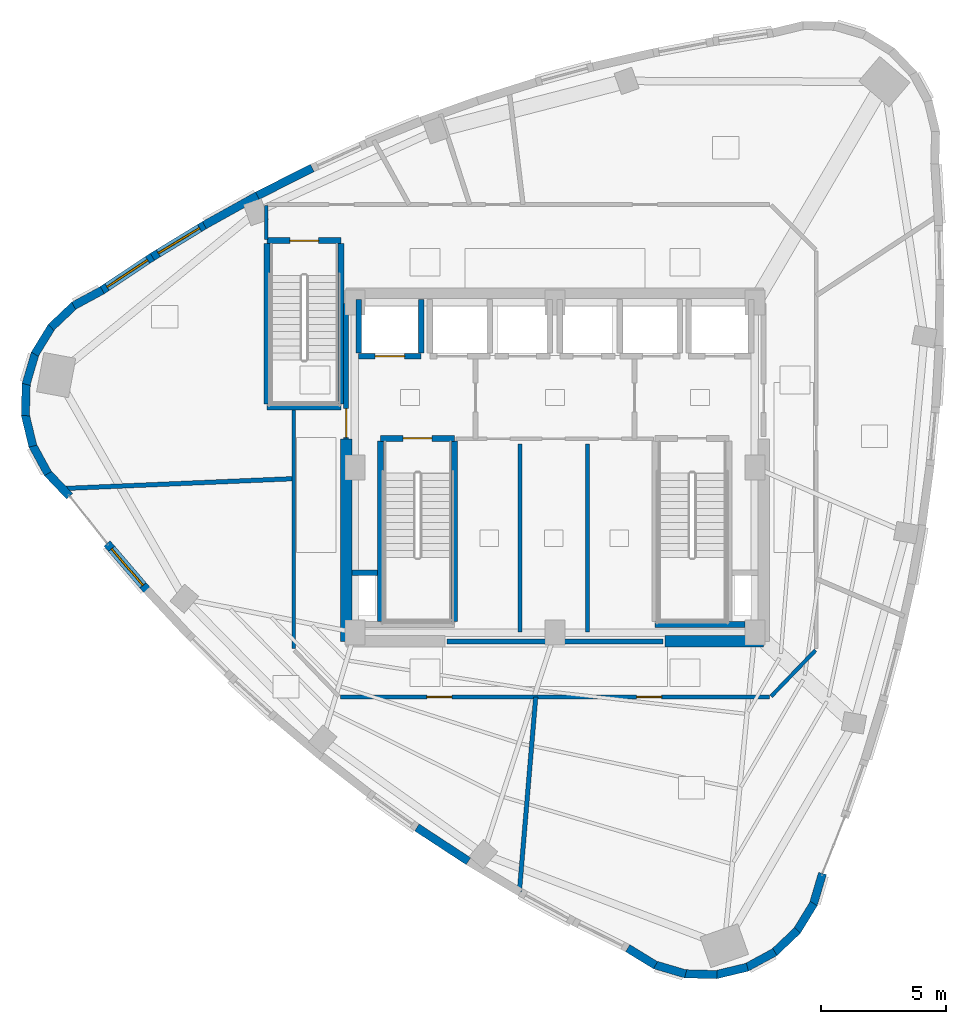
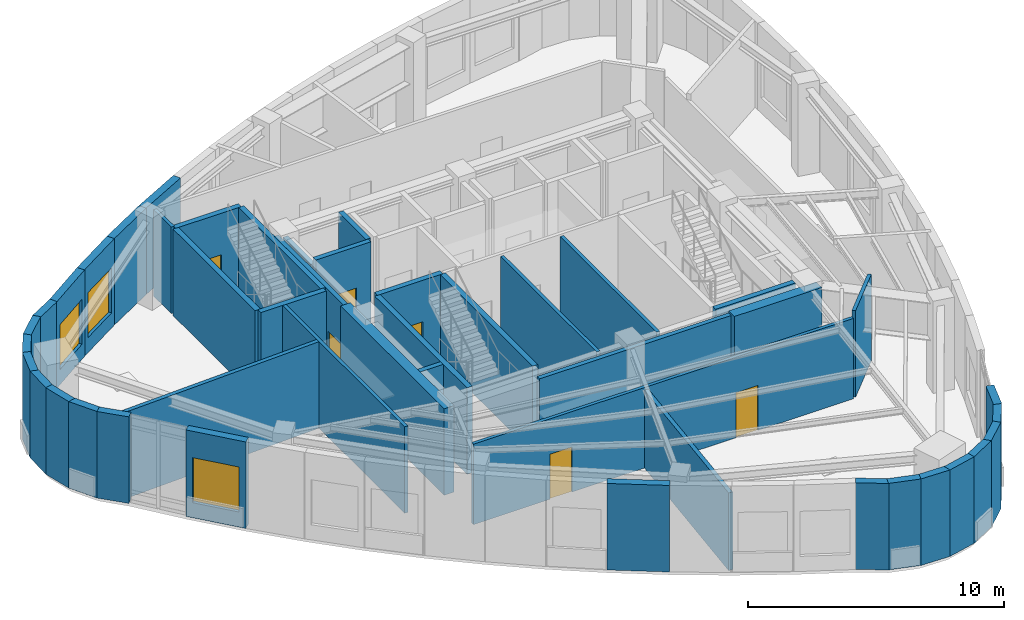
# One storey, part 8 of 14: 46 walls, 6 doors, 3 windows, 9 openings.
"""IFC4 building model written with IfcOpenShell, lengths in metres."""

from ifc_helpers import new_model, si_unit, direction, frame, frame_2d, origin, place, context, subcontext, project, spatial, rectangle, extrude, material, layer, layer_set, type_object, element, fill, save


model = new_model("IFC4")

# Units and contexts
model_context = context("Model", 3, precision=1e-05, world=origin(), true_north=direction((0.0, 1.0)))
body_context = subcontext(model_context, "Body", "Model", "MODEL_VIEW")
ifc_project = project(units=[si_unit("LENGTHUNIT", "METRE"), si_unit("AREAUNIT", "SQUARE_METRE"), si_unit("VOLUMEUNIT", "CUBIC_METRE"), si_unit("PLANEANGLEUNIT", "RADIAN"), si_unit("MASSUNIT", "GRAM", prefix="KILO")], contexts=[model_context])

# Site, building, storey
site_placement = place(None, origin())
site = spatial("IfcSite", under=ifc_project, at=site_placement, CompositionType="ELEMENT")
building_placement = place(site_placement, origin())
building = spatial("IfcBuilding", under=site, at=building_placement, Name="Ndelora Gate Hotel", CompositionType="ELEMENT")
storey_placement = place(building_placement, frame((0.0, 0.0, 281.60009765625)))
storey = spatial("IfcBuildingStorey", under=building, at=storey_placement, Name="L70", CompositionType="ELEMENT", Elevation=281.60009765625)

# Walls
ifc_material_1 = material(Name="Acoustic Double-Stud Gypsum Assembly", Category="gypsum")
ifc_layer_1 = layer(ifc_material_1, 0.179931640625)
ifc_layer_set_1 = layer_set([ifc_layer_1], Name="Acoustic Double-Stud Gypsum Assembly")
wall_type_1 = type_object("IfcWallType", Name="WL-ACOUST-180", PredefinedType="PARTITIONING", material=ifc_layer_set_1)
wall_1_placement = place(storey_placement, frame((-10.449951171875, -0.44677734375, 0.0), z_axis=(0.0, 0.0, 1.0), x_axis=(-0.999087626263, -0.042707318448, 0.0)))
element("IfcWall", 1, at=wall_1_placement, inside=storey, type_object=wall_type_1, Name="L70 Interior Wall IW-3", PredefinedType="PARTITIONING", context=body_context, shape_type="SweptSolid", body=[
    extrude(rectangle(XDim=9.260986328125, YDim=0.179931640625, at=frame_2d((4.63037109375, 0.0))), origin(), (0.0, 0.0, 1.0), 4.1298828125),
])
wall_2_placement = place(storey_placement, frame((-0.769775390625, -9.179931640625, 0.0), z_axis=(0.0, 0.0, 1.0), x_axis=(-0.083547101012, -0.996503829352, 0.0)))
element("IfcWall", 2, at=wall_2_placement, inside=storey, type_object=wall_type_1, Name="L70 Interior Wall IW-3", PredefinedType="PARTITIONING", context=body_context, shape_type="SweptSolid", body=[
    extrude(rectangle(XDim=7.81396484375, YDim=0.179931640625, at=frame_2d((3.906982421875, 0.0))), origin(), (0.0, 0.0, 1.0), 3.7099609375),
])
ifc_material_2 = material(Name="Clay Brick Masonry", Category="masonry")
ifc_layer_2 = layer(ifc_material_2, 0.330078125)
ifc_layer_set_2 = layer_set([ifc_layer_2], Name="Clay Brick Masonry")
wall_type_2 = type_object("IfcWallType", Name="WL-BRICK-330", PredefinedType="SOLIDWALL", material=ifc_layer_set_2)
wall_3_placement = place(storey_placement, frame((-19.25048828125, 6.469970703125, 0.0), z_axis=(0.0, 0.0, 1.0), x_axis=(0.878774855812, 0.477236579478, 0.0)))
element("IfcWall", 3, at=wall_3_placement, inside=storey, type_object=wall_type_2, Name="L70 Tower Brick Pier-and-Spandrel Wall TWR-1", PredefinedType="SOLIDWALL", context=body_context, shape_type="SweptSolid", body=[
    extrude(rectangle(XDim=1.302978515625, YDim=0.330078125, at=frame_2d((0.6513671875, 0.0))), origin(), (0.0, 0.0, 1.0), 4.1298828125),
])
wall_4_placement = place(storey_placement, frame((-20.155517578125, 5.602294921875, 0.0), z_axis=(0.0, 0.0, 1.0), x_axis=(0.725415712612, 0.688311008118, 0.0)))
element("IfcWall", 4, at=wall_4_placement, inside=storey, type_object=wall_type_2, Name="L70 Tower Brick Pier-and-Spandrel Wall TWR-2", PredefinedType="SOLIDWALL", context=body_context, shape_type="SweptSolid", body=[
    extrude(rectangle(XDim=1.302734375, YDim=0.330078125, at=frame_2d((0.6513671875, 0.0))), origin(), (0.0, 0.0, 1.0), 4.1298828125),
])
wall_5_placement = place(storey_placement, frame((-20.805419921875, 4.52978515625, 0.0), z_axis=(0.0, 0.0, 1.0), x_axis=(0.522601602676, 0.852577014047, 0.0)))
element("IfcWall", 5, at=wall_5_placement, inside=storey, type_object=wall_type_2, Name="L70 Tower Brick Pier-and-Spandrel Wall TWR-3", PredefinedType="SOLIDWALL", context=body_context, shape_type="SweptSolid", body=[
    extrude(rectangle(XDim=1.302978515625, YDim=0.330078125, at=frame_2d((0.6513671875, 0.0))), origin(), (0.0, 0.0, 1.0), 4.1298828125),
])
wall_6_placement = place(storey_placement, frame((-21.1552734375, 3.325439453125, 0.0), z_axis=(0.0, 0.0, 1.0), x_axis=(0.284011785169, 0.958820789243, 0.0)))
element("IfcWall", 6, at=wall_6_placement, inside=storey, type_object=wall_type_2, Name="L70 Tower Brick Pier-and-Spandrel Wall TWR-4", PredefinedType="SOLIDWALL", context=body_context, shape_type="SweptSolid", body=[
    extrude(rectangle(XDim=1.30322265625, YDim=0.330078125, at=frame_2d((0.651611328125, 0.0))), origin(), (0.0, 0.0, 1.0), 4.1298828125),
])
for number, where, z_axis, x_axis, name in (
    (7, (-21.181640625, 2.072021484375, 0.0), (0.0, 0.0, 1.0), (0.02623276863, 0.999655861709, 0.0), "L70 Tower Brick Pier-and-Spandrel Wall TWR-5"),
    (8, (-20.882568359375, 0.854248046875, 0.0), (0.0, 0.0, 1.0), (-0.233486347997, 0.972360080062, 0.0), "L70 Tower Brick Pier-and-Spandrel Wall TWR-6"),
    (9, (-20.278564453125, -0.24462890625, 0.0), (0.0, 0.0, 1.0), (-0.477236579478, 0.878774855812, 0.0), "L70 Tower Brick Pier-and-Spandrel Wall TWR-7"),
):
    element("IfcWall", number, at=place(storey_placement, frame(where, z_axis=z_axis, x_axis=x_axis)), inside=storey, type_object=wall_type_2, Name=name, PredefinedType="SOLIDWALL", context=body_context, shape_type="SweptSolid", body=[
        extrude(rectangle(XDim=1.302978515625, YDim=0.330078125, at=frame_2d((0.6513671875, 0.0))), origin(), (0.0, 0.0, 1.0), 4.1298828125),
    ])
wall_7_placement = place(storey_placement, frame((-19.41064453125, -1.14990234375, 0.0), z_axis=(0.0, 0.0, 1.0), x_axis=(-0.688316050819, 0.725410927809, 0.0)))
element("IfcWall", 10, at=wall_7_placement, inside=storey, type_object=wall_type_2, Name="L70 Tower Brick Pier-and-Spandrel Wall TWR-8", PredefinedType="SOLIDWALL", context=body_context, shape_type="SweptSolid", body=[
    extrude(rectangle(XDim=1.30322265625, YDim=0.330078125, at=frame_2d((0.651611328125, 0.0))), origin(), (0.0, 0.0, 1.0), 4.1298828125),
])

# Wall, opening, window
wall_8_placement = place(storey_placement, frame((-16.296630859375, -4.924072265625, 0.0), z_axis=(0.0, 0.0, 1.0), x_axis=(-0.651591190477, 0.75857031348, 0.0)))
wall_8 = element("IfcWall", 11, at=wall_8_placement, inside=storey, type_object=wall_type_2, Name="L70 Tower Brick Pier-and-Spandrel Wall TWR-10", PredefinedType="SOLIDWALL", context=body_context, shape_type="SweptSolid", body=[
    extrude(rectangle(XDim=2.487548828125, YDim=0.330078125, at=frame_2d((1.24365234375, 0.0))), origin(), (0.0, 0.0, 1.0), 4.1298828125),
])
opening_1_placement = place(wall_8_placement, frame((0.27880859375, 0.0, 0.719970703125)))
opening_1 = element("IfcOpeningElement", 12, at=opening_1_placement, cuts=wall_8, Name="Opening W05", PredefinedType="OPENING", context=body_context, shape_type="SweptSolid", body=[
    extrude(rectangle(XDim=1.929931640625, YDim=2.14990234375, at=frame_2d((0.96484375, 1.074951171875))), frame((0.0, 0.175048828125, 0.0), z_axis=(0.0, -1.0, 0.0), x_axis=(1.0, 0.0, 0.0)), (0.0, 0.0, 1.0), 0.35009765625),
])
ifc_material_3 = material(Name="Insulated Low-E Double Glazing in Bronze Aluminium Frame", Category="aluminium")
window_type = type_object("IfcWindowType", Name="WN-SKY-2000", PartitioningType="SINGLE_PANEL", PredefinedType="WINDOW", material=ifc_material_3)
window_1_placement = place(opening_1_placement, origin())
window_1 = element("IfcWindow", 13, at=window_1_placement, inside=storey, type_object=window_type, Name="L70 Deep-Set Brick-Pier Window W05", OverallHeight=2.14990234375, OverallWidth=1.929931640625, PartitioningType="SINGLE_PANEL", PredefinedType="WINDOW", context=body_context, shape_type="SweptSolid", body=[
    extrude(rectangle(XDim=1.929931640625, YDim=2.14990234375, at=frame_2d((0.96484375, 1.074951171875))), frame((0.0, 0.030029296875, 0.0), z_axis=(0.0, -1.0, 0.0), x_axis=(1.0, 0.0, 0.0)), (0.0, 0.0, 1.0), 0.06005859375),
])
fill(opening_1, window_1)

# Walls
wall_9_placement = place(storey_placement, frame((-3.462890625, -15.74560546875, 0.0), z_axis=(0.0, 0.0, 1.0), x_axis=(-0.8366477668, 0.547741284101, 0.0)))
element("IfcWall", 14, at=wall_9_placement, inside=storey, type_object=wall_type_2, Name="L70 Tower Brick Pier-and-Spandrel Wall TWR-17", PredefinedType="SOLIDWALL", context=body_context, shape_type="SweptSolid", body=[
    extrude(rectangle(XDim=2.4599609375, YDim=0.330078125, at=frame_2d((1.22998046875, 0.0))), origin(), (0.0, 0.0, 1.0), 4.1298828125),
])
for number, where, z_axis, x_axis, name in (
    (15, (4.022216796875, -19.906494140625, 0.0), (0.0, 0.0, 1.0), (-0.852628177474, 0.522518125022, 0.0), "L70 Tower Brick Pier-and-Spandrel Wall TWR-21"),
    (16, (5.226318359375, -20.25634765625, 0.0), (0.0, 0.0, 1.0), (-0.958820789243, 0.284011785169, 0.0), "L70 Tower Brick Pier-and-Spandrel Wall TWR-22"),
):
    element("IfcWall", number, at=place(storey_placement, frame(where, z_axis=z_axis, x_axis=x_axis)), inside=storey, type_object=wall_type_2, Name=name, PredefinedType="SOLIDWALL", context=body_context, shape_type="SweptSolid", body=[
        extrude(rectangle(XDim=1.30322265625, YDim=0.330078125, at=frame_2d((0.651611328125, 0.0))), origin(), (0.0, 0.0, 1.0), 4.1298828125),
    ])
for number, where, z_axis, x_axis, name in (
    (17, (6.479736328125, -20.28271484375, 0.0), (0.0, 0.0, 1.0), (-0.999655861709, 0.02623276863, 0.0), "L70 Tower Brick Pier-and-Spandrel Wall TWR-23"),
    (18, (7.697509765625, -19.983642578125, 0.0), (0.0, 0.0, 1.0), (-0.972370292931, -0.233443812137, 0.0), "L70 Tower Brick Pier-and-Spandrel Wall TWR-24"),
    (19, (8.79638671875, -19.379638671875, 0.0), (0.0, 0.0, 1.0), (-0.878774855812, -0.477236579478, 0.0), "L70 Tower Brick Pier-and-Spandrel Wall TWR-25"),
):
    element("IfcWall", number, at=place(storey_placement, frame(where, z_axis=z_axis, x_axis=x_axis)), inside=storey, type_object=wall_type_2, Name=name, PredefinedType="SOLIDWALL", context=body_context, shape_type="SweptSolid", body=[
        extrude(rectangle(XDim=1.302978515625, YDim=0.330078125, at=frame_2d((0.6513671875, 0.0))), origin(), (0.0, 0.0, 1.0), 4.1298828125),
    ])
wall_10_placement = place(storey_placement, frame((9.701416015625, -18.511962890625, 0.0), z_axis=(0.0, 0.0, 1.0), x_axis=(-0.725415712612, -0.688311008118, 0.0)))
element("IfcWall", 20, at=wall_10_placement, inside=storey, type_object=wall_type_2, Name="L70 Tower Brick Pier-and-Spandrel Wall TWR-26", PredefinedType="SOLIDWALL", context=body_context, shape_type="SweptSolid", body=[
    extrude(rectangle(XDim=1.302734375, YDim=0.330078125, at=frame_2d((0.6513671875, 0.0))), origin(), (0.0, 0.0, 1.0), 4.1298828125),
])
wall_11_placement = place(storey_placement, frame((10.351318359375, -17.439453125, 0.0), z_axis=(0.0, 0.0, 1.0), x_axis=(-0.522601602676, -0.852577014047, 0.0)))
element("IfcWall", 21, at=wall_11_placement, inside=storey, type_object=wall_type_2, Name="L70 Tower Brick Pier-and-Spandrel Wall TWR-27", PredefinedType="SOLIDWALL", context=body_context, shape_type="SweptSolid", body=[
    extrude(rectangle(XDim=1.302978515625, YDim=0.330078125, at=frame_2d((0.6513671875, 0.0))), origin(), (0.0, 0.0, 1.0), 4.1298828125),
])
wall_12_placement = place(storey_placement, frame((10.701171875, -16.235107421875, 0.0), z_axis=(0.0, 0.0, 1.0), x_axis=(-0.284011785169, -0.958820789243, 0.0)))
element("IfcWall", 22, at=wall_12_placement, inside=storey, type_object=wall_type_2, Name="L70 Tower Brick Pier-and-Spandrel Wall TWR-28", PredefinedType="SOLIDWALL", context=body_context, shape_type="SweptSolid", body=[
    extrude(rectangle(XDim=1.30322265625, YDim=0.330078125, at=frame_2d((0.651611328125, 0.0))), origin(), (0.0, 0.0, 1.0), 4.1298828125),
])
wall_13_placement = place(storey_placement, frame((-11.90478515625, 10.87158203125, 0.0), z_axis=(0.0, 0.0, 1.0), x_axis=(0.892653761516, 0.450743011096, 0.0)))
element("IfcWall", 23, at=wall_13_placement, inside=storey, type_object=wall_type_2, Name="L70 Tower Brick Pier-and-Spandrel Wall TWR-57", PredefinedType="SOLIDWALL", context=body_context, shape_type="SweptSolid", body=[
    extrude(rectangle(XDim=2.460205078125, YDim=0.330078125, at=frame_2d((1.22998046875, 0.0))), origin(), (0.0, 0.0, 1.0), 4.1298828125),
])
wall_14_placement = place(storey_placement, frame((-14.020751953125, 9.69384765625, 0.0), z_axis=(0.0, 0.0, 1.0), x_axis=(0.873970841772, 0.485978361383, 0.0)))
element("IfcWall", 24, at=wall_14_placement, inside=storey, type_object=wall_type_2, Name="L70 Tower Brick Pier-and-Spandrel Wall TWR-58", PredefinedType="SOLIDWALL", context=body_context, shape_type="SweptSolid", body=[
    extrude(rectangle(XDim=2.4716796875, YDim=0.330078125, at=frame_2d((1.23583984375, 0.0))), origin(), (0.0, 0.0, 1.0), 4.1298828125),
])

# Wall, opening, window
wall_15_placement = place(storey_placement, frame((-16.101806640625, 8.42529296875, 0.0), z_axis=(0.0, 0.0, 1.0), x_axis=(0.854079117913, 0.520143115253, 0.0)))
wall_15 = element("IfcWall", 25, at=wall_15_placement, inside=storey, type_object=wall_type_2, Name="L70 Tower Brick Pier-and-Spandrel Wall TWR-59", PredefinedType="SOLIDWALL", context=body_context, shape_type="SweptSolid", body=[
    extrude(rectangle(XDim=2.4873046875, YDim=0.330078125, at=frame_2d((1.24365234375, 0.0))), origin(), (0.0, 0.0, 1.0), 4.1298828125),
])
opening_2_placement = place(wall_15_placement, frame((0.278564453125, 0.0, 0.719970703125)))
opening_2 = element("IfcOpeningElement", 26, at=opening_2_placement, cuts=wall_15, Name="Opening W05", PredefinedType="OPENING", context=body_context, shape_type="SweptSolid", body=[
    extrude(rectangle(XDim=1.929931640625, YDim=2.14990234375, at=frame_2d((0.96484375, 1.074951171875))), frame((0.0, 0.175048828125, 0.0), z_axis=(0.0, -1.0, 0.0), x_axis=(1.0, 0.0, 0.0)), (0.0, 0.0, 1.0), 0.35009765625),
])
window_2_placement = place(opening_2_placement, origin())
window_2 = element("IfcWindow", 27, at=window_2_placement, inside=storey, type_object=window_type, Name="L70 Deep-Set Brick-Pier Window W05", OverallHeight=2.14990234375, OverallWidth=1.929931640625, PartitioningType="SINGLE_PANEL", PredefinedType="WINDOW", context=body_context, shape_type="SweptSolid", body=[
    extrude(rectangle(XDim=1.929931640625, YDim=2.14990234375, at=frame_2d((0.96484375, 1.074951171875))), frame((0.0, 0.030029296875, 0.0), z_axis=(0.0, -1.0, 0.0), x_axis=(1.0, 0.0, 0.0)), (0.0, 0.0, 1.0), 0.06005859375),
])
fill(opening_2, window_2)

wall_16_placement = place(storey_placement, frame((-18.148193359375, 7.06591796875, 0.0), z_axis=(0.0, 0.0, 1.0), x_axis=(0.833157490591, 0.55303579981, 0.0)))
wall_16 = element("IfcWall", 28, at=wall_16_placement, inside=storey, type_object=wall_type_2, Name="L70 Tower Brick Pier-and-Spandrel Wall TWR-60", PredefinedType="SOLIDWALL", context=body_context, shape_type="SweptSolid", body=[
    extrude(rectangle(XDim=2.506591796875, YDim=0.330078125, at=frame_2d((1.25341796875, 0.0))), origin(), (0.0, 0.0, 1.0), 4.1298828125),
])
opening_3_placement = place(wall_16_placement, frame((0.2783203125, 0.0, 0.719970703125)))
opening_3 = element("IfcOpeningElement", 29, at=opening_3_placement, cuts=wall_16, Name="Opening W05", PredefinedType="OPENING", context=body_context, shape_type="SweptSolid", body=[
    extrude(rectangle(XDim=1.949951171875, YDim=2.14990234375, at=frame_2d((0.97509765625, 1.074951171875))), frame((0.0, 0.175048828125, 0.0), z_axis=(0.0, -1.0, 0.0), x_axis=(1.0, 0.0, 0.0)), (0.0, 0.0, 1.0), 0.35009765625),
])
window_3_placement = place(opening_3_placement, origin())
window_3 = element("IfcWindow", 30, at=window_3_placement, inside=storey, type_object=window_type, Name="L70 Deep-Set Brick-Pier Window W05", OverallHeight=2.14990234375, OverallWidth=1.949951171875, PartitioningType="SINGLE_PANEL", PredefinedType="WINDOW", context=body_context, shape_type="SweptSolid", body=[
    extrude(rectangle(XDim=1.949951171875, YDim=2.14990234375, at=frame_2d((0.97509765625, 1.074951171875))), frame((0.0, 0.030029296875, 0.0), z_axis=(0.0, -1.0, 0.0), x_axis=(1.0, 0.0, 0.0)), (0.0, 0.0, 1.0), 0.06005859375),
])
fill(opening_3, window_3)

# Walls
ifc_material_4 = material(Name="Concrete C50/60", Category="concrete")
ifc_layer_3 = layer(ifc_material_4, 0.449951171875)
ifc_layer_set_3 = layer_set([ifc_layer_3], Name="Concrete C50/60")
wall_type_3 = type_object("IfcWallType", Name="WL-CORE-450", PredefinedType="SHEAR", material=ifc_layer_set_3)
wall_17_placement = place(storey_placement, frame((4.39990234375, -6.949951171875, 0.0), z_axis=(0.0, 0.0, 1.0), x_axis=(1.0, 0.0, 0.0)))
element("IfcWall", 31, at=wall_17_placement, inside=storey, type_object=wall_type_3, Name="L70 Core Shear Wall S-E", PredefinedType="SHEAR", context=body_context, shape_type="SweptSolid", body=[
    extrude(rectangle(XDim=3.9501953125, YDim=0.449951171875, at=frame_2d((1.97509765625, 0.0))), origin(), (0.0, 0.0, 1.0), 4.1298828125),
])
wall_18_placement = place(storey_placement, frame((-8.35009765625, -6.949951171875, 0.0), z_axis=(0.0, 0.0, 1.0), x_axis=(0.0, 1.0, 0.0)))
element("IfcWall", 32, at=wall_18_placement, inside=storey, type_object=wall_type_3, Name="L70 Core Shear Wall W", PredefinedType="SHEAR", context=body_context, shape_type="SweptSolid", body=[
    extrude(rectangle(XDim=8.099853515625, YDim=0.449951171875, at=frame_2d((4.0498046875, 0.0))), origin(), (0.0, 0.0, 1.0), 4.1298828125),
])

# Wall, opening, door
ifc_material_5 = material(Name="Concrete C40/50", Category="concrete")
ifc_layer_4 = layer(ifc_material_5, 0.199951171875)
ifc_layer_set_4 = layer_set([ifc_layer_4], Name="Concrete C40/50")
wall_type_4 = type_object("IfcWallType", Name="WL-FIRE-200", PredefinedType="PARTITIONING", material=ifc_layer_set_4)
wall_19_placement = place(storey_placement, frame((-8.35009765625, 1.14990234375, 0.0), z_axis=(0.0, 0.0, 1.0), x_axis=(0.0, 1.0, 0.0)))
wall_19 = element("IfcWall", 33, at=wall_19_placement, inside=storey, type_object=wall_type_4, Name="L70 Interior Wall IW-2", PredefinedType="PARTITIONING", context=body_context, shape_type="SweptSolid", body=[
    extrude(rectangle(XDim=5.400146484375, YDim=0.199951171875, at=frame_2d((2.7001953125, 0.0))), origin(), (0.0, 0.0, 1.0), 4.1298828125),
])
opening_4_placement = place(wall_19_placement, frame((0.06005859375, 0.0, 0.0)))
opening_4 = element("IfcOpeningElement", 34, at=opening_4_placement, cuts=wall_19, Name="Opening FD1", PredefinedType="OPENING", context=body_context, shape_type="SweptSolid", body=[
    extrude(rectangle(XDim=1.14990234375, YDim=2.14990234375, at=frame_2d((0.574951171875, 1.074951171875))), frame((0.0, 0.10986328125, 0.0), z_axis=(0.0, -1.0, 0.0), x_axis=(1.0, 0.0, 0.0)), (0.0, 0.0, 1.0), 0.219970703125),
])
ifc_material_6 = material(Name="Fire-Rated Timber-Veneer Steel Core", Category="steel")
door_type_1 = type_object("IfcDoorType", Name="DR-FD60", OperationType="SINGLE_SWING_LEFT", PredefinedType="DOOR", material=ifc_material_6)
door_1_placement = place(opening_4_placement, origin())
door_1 = element("IfcDoor", 35, at=door_1_placement, inside=storey, type_object=door_type_1, Name="L70 Firefighting Lobby West Corridor Door", OperationType="SINGLE_SWING_LEFT", OverallHeight=2.14990234375, OverallWidth=1.14990234375, PredefinedType="DOOR", context=body_context, shape_type="SweptSolid", body=[
    extrude(rectangle(XDim=1.14990234375, YDim=2.14990234375, at=frame_2d((0.574951171875, 1.074951171875))), frame((0.0, 0.02490234375, 0.0), z_axis=(0.0, -1.0, 0.0), x_axis=(1.0, 0.0, 0.0)), (0.0, 0.0, 1.0), 0.050048828125),
])
fill(opening_4, door_1)

# Walls
wall_20_placement = place(storey_placement, frame((-4.320068359375, -6.949951171875, 0.0), z_axis=(0.0, 0.0, 1.0), x_axis=(1.0, 0.0, 0.0)))
element("IfcWall", 36, at=wall_20_placement, inside=storey, type_object=wall_type_4, Name="L70 Interior Wall IW-2", PredefinedType="PARTITIONING", context=body_context, shape_type="SweptSolid", body=[
    extrude(rectangle(XDim=8.64013671875, YDim=0.199951171875, at=frame_2d((4.320068359375, 0.0))), origin(), (0.0, 0.0, 1.0), 4.1298828125),
])
ifc_material_7 = material(Name="Fire-Rated Gypsum Stud Partition", Category="gypsum")
ifc_layer_5 = layer(ifc_material_7, 0.14990234375)
ifc_layer_set_5 = layer_set([ifc_layer_5], Name="Fire-Rated Gypsum Stud Partition")
wall_type_5 = type_object("IfcWallType", Name="WL-PART-150", PredefinedType="PARTITIONING", material=ifc_layer_set_5)
for number, where, z_axis, x_axis, name in (
    (37, (-1.39990234375, -6.580078125, 0.0), (0.0, 0.0, 1.0), (0.0, 1.0, 0.0), "L70 Interior Wall IW-5"),
    (38, (1.300048828125, -6.580078125, 0.0), (0.0, 0.0, 1.0), (0.0, 1.0, 0.0), "L70 Interior Wall IW-5"),
):
    element("IfcWall", number, at=place(storey_placement, frame(where, z_axis=z_axis, x_axis=x_axis)), inside=storey, type_object=wall_type_5, Name=name, PredefinedType="PARTITIONING", context=body_context, shape_type="SweptSolid", body=[
        extrude(rectangle(XDim=7.530029296875, YDim=0.14990234375, at=frame_2d((3.76513671875, 0.0))), origin(), (0.0, 0.0, 1.0), 4.1298828125),
    ])

# Wall, openings, doors
wall_21_placement = place(storey_placement, frame((8.580078125, -9.179931640625, 0.0), z_axis=(0.0, 0.0, 1.0), x_axis=(-1.0, 0.0, 0.0)))
wall_21 = element("IfcWall", 39, at=wall_21_placement, inside=storey, type_object=wall_type_5, Name="L70 Interior Wall IW-5", PredefinedType="PARTITIONING", context=body_context, shape_type="SweptSolid", body=[
    extrude(rectangle(XDim=17.16015625, YDim=0.14990234375, at=frame_2d((8.580078125, 0.0))), origin(), (0.0, 0.0, 1.0), 3.83984375),
])
opening_5_placement = place(wall_21_placement, frame((12.704833984375, 0.0, 0.0)))
opening_5 = element("IfcOpeningElement", 40, at=opening_5_placement, cuts=wall_21, Name="Opening D01", PredefinedType="OPENING", context=body_context, shape_type="SweptSolid", body=[
    extrude(rectangle(XDim=1.0, YDim=2.14990234375, at=frame_2d((0.5, 1.074951171875))), frame((0.0, 0.0849609375, 0.0), z_axis=(0.0, -1.0, 0.0), x_axis=(1.0, 0.0, 0.0)), (0.0, 0.0, 1.0), 0.169921875),
])
opening_6_placement = place(wall_21_placement, frame((4.315185546875, 0.0, 0.0)))
opening_6 = element("IfcOpeningElement", 41, at=opening_6_placement, cuts=wall_21, Name="Opening D01", PredefinedType="OPENING", context=body_context, shape_type="SweptSolid", body=[
    extrude(rectangle(XDim=1.0, YDim=2.14990234375, at=frame_2d((0.5, 1.074951171875))), frame((0.0, 0.0849609375, 0.0), z_axis=(0.0, -1.0, 0.0), x_axis=(1.0, 0.0, 0.0)), (0.0, 0.0, 1.0), 0.169921875),
])
ifc_material_8 = material(Name="Acoustic Hardwood Guest Entrance Door", Category="wood")
door_type_2 = type_object("IfcDoorType", Name="DR-COR-1000", OperationType="SINGLE_SWING_LEFT", PredefinedType="DOOR", material=ifc_material_8)
door_2_placement = place(opening_5_placement, origin())
door_2 = element("IfcDoor", 42, at=door_2_placement, inside=storey, type_object=door_type_2, Name="L70 Altitude Sky Cocktail Bar Entrance Door", OperationType="SINGLE_SWING_RIGHT", OverallHeight=2.14990234375, OverallWidth=1.0, PredefinedType="DOOR", context=body_context, shape_type="SweptSolid", body=[
    extrude(rectangle(XDim=1.0, YDim=2.14990234375, at=frame_2d((0.5, 1.074951171875))), frame((0.0, 0.02490234375, 0.0), z_axis=(0.0, -1.0, 0.0), x_axis=(1.0, 0.0, 0.0)), (0.0, 0.0, 1.0), 0.050048828125),
])
fill(opening_5, door_2)
door_3_placement = place(opening_6_placement, origin())
door_3 = element("IfcDoor", 43, at=door_3_placement, inside=storey, type_object=door_type_2, Name="L70 East Peak Champagne Cocktail Bar Entrance Door", OperationType="SINGLE_SWING_RIGHT", OverallHeight=2.14990234375, OverallWidth=1.0, PredefinedType="DOOR", context=body_context, shape_type="SweptSolid", body=[
    extrude(rectangle(XDim=1.0, YDim=2.14990234375, at=frame_2d((0.5, 1.074951171875))), frame((0.0, 0.02490234375, 0.0), z_axis=(0.0, -1.0, 0.0), x_axis=(1.0, 0.0, 0.0)), (0.0, 0.0, 1.0), 0.050048828125),
])
fill(opening_6, door_3)

# Walls
wall_22_placement = place(storey_placement, frame((10.42236328125, -7.308837890625, 0.0), z_axis=(0.0, 0.0, 1.0), x_axis=(-0.693764562202, -0.720201869085, 0.0)))
element("IfcWall", 44, at=wall_22_placement, inside=storey, type_object=wall_type_5, Name="L70 Interior Wall IW-5", PredefinedType="PARTITIONING", context=body_context, shape_type="SweptSolid", body=[
    extrude(rectangle(XDim=2.55810546875, YDim=0.14990234375, at=frame_2d((1.279052734375, 0.0))), origin(), (0.0, 0.0, 1.0), 4.1298828125),
])
wall_23_placement = place(storey_placement, frame((-11.550048828125, 9.110107421875, 0.0), z_axis=(0.0, 0.0, 1.0), x_axis=(0.0, 1.0, 0.0)))
element("IfcWall", 45, at=wall_23_placement, inside=storey, type_object=wall_type_5, Name="L70 Interior Wall IW-5", PredefinedType="PARTITIONING", context=body_context, shape_type="SweptSolid", body=[
    extrude(rectangle(XDim=1.369873046875, YDim=0.14990234375, at=frame_2d((0.68505859375, 0.0))), origin(), (0.0, 0.0, 1.0), 4.1298828125),
])
wall_24_placement = place(storey_placement, frame((-10.449951171875, -7.239990234375, 0.0), z_axis=(0.0, 0.0, 1.0), x_axis=(0.0, 1.0, 0.0)))
element("IfcWall", 46, at=wall_24_placement, inside=storey, type_object=wall_type_5, Name="L70 Interior Wall IW-5", PredefinedType="PARTITIONING", context=body_context, shape_type="SweptSolid", body=[
    extrude(rectangle(XDim=9.6298828125, YDim=0.14990234375, at=frame_2d((4.81494140625, 0.0))), origin(), (0.0, 0.0, 1.0), 4.1298828125),
])
ifc_layer_6 = layer(ifc_material_5, 0.219970703125)
ifc_layer_set_6 = layer_set([ifc_layer_6], Name="Concrete C40/50")
wall_type_6 = type_object("IfcWallType", Name="WL-SHAFT-220", PredefinedType="PARTITIONING", material=ifc_layer_set_6)
wall_25_placement = place(storey_placement, frame((-8.125, -4.199951171875, 0.0), z_axis=(0.0, 0.0, 1.0), x_axis=(1.0, 0.0, 0.0)))
element("IfcWall", 47, at=wall_25_placement, inside=storey, type_object=wall_type_6, Name="L70 Interior Wall IW-1", PredefinedType="PARTITIONING", context=body_context, shape_type="SweptSolid", body=[
    extrude(rectangle(XDim=1.034912109375, YDim=0.219970703125, at=frame_2d((0.517578125, 0.0))), origin(), (0.0, 0.0, 1.0), 4.1298828125),
])

# Wall, opening, door
wall_26_placement = place(storey_placement, frame((-7.85009765625, 4.449951171875, 0.0), z_axis=(0.0, 0.0, 1.0), x_axis=(1.0, 0.0, 0.0)))
wall_26 = element("IfcWall", 48, at=wall_26_placement, inside=storey, type_object=wall_type_6, Name="L70 Interior Wall IW-1", PredefinedType="PARTITIONING", context=body_context, shape_type="SweptSolid", body=[
    extrude(rectangle(XDim=2.5, YDim=0.219970703125, at=frame_2d((1.25, 0.0))), origin(), (0.0, 0.0, 1.0), 4.1298828125),
])
opening_7_placement = place(wall_26_placement, frame((0.659912109375, 0.0, 0.0)))
opening_7 = element("IfcOpeningElement", 49, at=opening_7_placement, cuts=wall_26, Name="Opening LD5", PredefinedType="OPENING", context=body_context, shape_type="SweptSolid", body=[
    extrude(rectangle(XDim=1.179931640625, YDim=2.14990234375, at=frame_2d((0.58984375, 1.074951171875))), frame((0.0, 0.1201171875, 0.0), z_axis=(0.0, -1.0, 0.0), x_axis=(1.0, 0.0, 0.0)), (0.0, 0.0, 1.0), 0.239990234375),
])
ifc_material_9 = material(Name="Firefighting Lift Stainless Sliding Landing Door", Category="metal")
door_type_3 = type_object("IfcDoorType", Name="DR-LD5", OperationType="DOUBLE_DOOR_SLIDING", PredefinedType="DOOR", material=ifc_material_9)
door_4_placement = place(opening_7_placement, origin())
door_4 = element("IfcDoor", 50, at=door_4_placement, inside=storey, type_object=door_type_3, Name="L70 Lift Landing Sliding Door FFL1", OperationType="DOUBLE_DOOR_SLIDING", OverallHeight=2.14990234375, OverallWidth=1.179931640625, PredefinedType="DOOR", context=body_context, shape_type="SweptSolid", body=[
    extrude(rectangle(XDim=1.179931640625, YDim=2.14990234375, at=frame_2d((0.58984375, 1.074951171875))), frame((0.0, 0.02490234375, 0.0), z_axis=(0.0, -1.0, 0.0), x_axis=(1.0, 0.0, 0.0)), (0.0, 0.0, 1.0), 0.050048828125),
])
fill(opening_7, door_4)

# Walls
wall_27_placement = place(storey_placement, frame((-7.85009765625, 4.570068359375, 0.0), z_axis=(0.0, 0.0, 1.0), x_axis=(0.0, 1.0, 0.0)))
element("IfcWall", 51, at=wall_27_placement, inside=storey, type_object=wall_type_6, Name="L70 Interior Wall IW-1", PredefinedType="PARTITIONING", context=body_context, shape_type="SweptSolid", body=[
    extrude(rectangle(XDim=2.155029296875, YDim=0.219970703125, at=frame_2d((1.07763671875, 0.0))), origin(), (0.0, 0.0, 1.0), 3.809814453125),
])
wall_28_placement = place(storey_placement, frame((-5.35009765625, 4.570068359375, 0.0), z_axis=(0.0, 0.0, 1.0), x_axis=(0.0, 1.0, 0.0)))
element("IfcWall", 52, at=wall_28_placement, inside=storey, type_object=wall_type_6, Name="L70 Interior Wall IW-1", PredefinedType="PARTITIONING", context=body_context, shape_type="SweptSolid", body=[
    extrude(rectangle(XDim=2.155029296875, YDim=0.219970703125, at=frame_2d((1.07763671875, 0.0))), origin(), (0.0, 0.0, 1.0), 4.1298828125),
])
ifc_layer_7 = layer(ifc_material_4, 0.239990234375)
ifc_layer_set_7 = layer_set([ifc_layer_7], Name="Concrete C50/60")
wall_type_7 = type_object("IfcWallType", Name="WL-STAIR-240", PredefinedType="SHEAR", material=ifc_layer_set_7)
for number, where, z_axis, x_axis, name in (
    (53, (-6.969970703125, -6.159912109375, 0.0), (0.0, 0.0, 1.0), (0.0, 1.0, 0.0), "L70 Stair Core Shear Wall SW-ST"),
    (54, (-4.010009765625, -6.159912109375, 0.0), (0.0, 0.0, 1.0), (0.0, 1.0, 0.0), "L70 Stair Core Shear Wall SW-ST"),
):
    element("IfcWall", number, at=place(storey_placement, frame(where, z_axis=z_axis, x_axis=x_axis)), inside=storey, type_object=wall_type_7, Name=name, PredefinedType="SHEAR", context=body_context, shape_type="SweptSolid", body=[
        extrude(rectangle(XDim=7.219970703125, YDim=0.239990234375, at=frame_2d((3.60986328125, 0.0))), origin(), (0.0, 0.0, 1.0), 4.1298828125),
    ])

# Wall, opening, door
wall_29_placement = place(storey_placement, frame((-6.969970703125, 1.169921875, 0.0), z_axis=(0.0, 0.0, 1.0), x_axis=(1.0, 0.0, 0.0)))
wall_29 = element("IfcWall", 55, at=wall_29_placement, inside=storey, type_object=wall_type_7, Name="L70 Stair Core Shear Wall SW-ST", PredefinedType="SHEAR", context=body_context, shape_type="SweptSolid", body=[
    extrude(rectangle(XDim=2.9599609375, YDim=0.239990234375, at=frame_2d((1.47998046875, 0.0))), origin(), (0.0, 0.0, 1.0), 4.1298828125),
])
opening_8_placement = place(wall_29_placement, frame((0.89990234375, 0.0, 0.0)))
opening_8 = element("IfcOpeningElement", 56, at=opening_8_placement, cuts=wall_29, Name="Opening FD1", PredefinedType="OPENING", context=body_context, shape_type="SweptSolid", body=[
    extrude(rectangle(XDim=1.14990234375, YDim=2.14990234375, at=frame_2d((0.574951171875, 1.074951171875))), frame((0.0, 0.1298828125, 0.0), z_axis=(0.0, -1.0, 0.0), x_axis=(1.0, 0.0, 0.0)), (0.0, 0.0, 1.0), 0.260009765625),
])
door_5_placement = place(opening_8_placement, origin())
door_5 = element("IfcDoor", 57, at=door_5_placement, inside=storey, type_object=door_type_1, Name="L70 Exit Stair ST4 Door", OperationType="SINGLE_SWING_LEFT", OverallHeight=2.14990234375, OverallWidth=1.14990234375, PredefinedType="DOOR", context=body_context, shape_type="SweptSolid", body=[
    extrude(rectangle(XDim=1.14990234375, YDim=2.14990234375, at=frame_2d((0.574951171875, 1.074951171875))), frame((0.0, 0.02490234375, 0.0), z_axis=(0.0, -1.0, 0.0), x_axis=(1.0, 0.0, 0.0)), (0.0, 0.0, 1.0), 0.050048828125),
])
fill(opening_8, door_5)

# Walls
wall_30_placement = place(storey_placement, frame((4.010009765625, -6.27001953125, 0.0), z_axis=(0.0, 0.0, 1.0), x_axis=(1.0, 0.0, 0.0)))
element("IfcWall", 58, at=wall_30_placement, inside=storey, type_object=wall_type_7, Name="L70 Stair Core Shear Wall SW-ST", PredefinedType="SHEAR", context=body_context, shape_type="SweptSolid", body=[
    extrude(rectangle(XDim=3.590087890625, YDim=0.239990234375, at=frame_2d((1.794921875, 0.0))), origin(), (0.0, 0.0, 1.0), 4.1298828125),
])
wall_31_placement = place(storey_placement, frame((-11.510009765625, 2.5400390625, 0.0), z_axis=(0.0, 0.0, 1.0), x_axis=(0.0, 1.0, 0.0)))
element("IfcWall", 59, at=wall_31_placement, inside=storey, type_object=wall_type_7, Name="L70 Stair Core Shear Wall SW-ST", PredefinedType="SHEAR", context=body_context, shape_type="SweptSolid", body=[
    extrude(rectangle(XDim=6.419921875, YDim=0.239990234375, at=frame_2d((3.2099609375, 0.0))), origin(), (0.0, 0.0, 1.0), 4.1298828125),
])
wall_32_placement = place(storey_placement, frame((-11.510009765625, 2.429931640625, 0.0), z_axis=(0.0, 0.0, 1.0), x_axis=(1.0, 0.0, 0.0)))
element("IfcWall", 60, at=wall_32_placement, inside=storey, type_object=wall_type_7, Name="L70 Stair Core Shear Wall SW-ST", PredefinedType="SHEAR", context=body_context, shape_type="SweptSolid", body=[
    extrude(rectangle(XDim=2.9599609375, YDim=0.239990234375, at=frame_2d((1.47998046875, 0.0))), origin(), (0.0, 0.0, 1.0), 4.1298828125),
])
wall_33_placement = place(storey_placement, frame((-8.550048828125, 2.5400390625, 0.0), z_axis=(0.0, 0.0, 1.0), x_axis=(0.0, 1.0, 0.0)))
element("IfcWall", 61, at=wall_33_placement, inside=storey, type_object=wall_type_7, Name="L70 Stair Core Shear Wall SW-ST", PredefinedType="SHEAR", context=body_context, shape_type="SweptSolid", body=[
    extrude(rectangle(XDim=6.419921875, YDim=0.239990234375, at=frame_2d((3.2099609375, 0.0))), origin(), (0.0, 0.0, 1.0), 4.1298828125),
])

# Wall, opening, door
wall_34_placement = place(storey_placement, frame((-8.550048828125, 9.070068359375, 0.0), z_axis=(0.0, 0.0, 1.0), x_axis=(-1.0, 0.0, 0.0)))
wall_34 = element("IfcWall", 62, at=wall_34_placement, inside=storey, type_object=wall_type_7, Name="L70 Stair Core Shear Wall SW-ST", PredefinedType="SHEAR", context=body_context, shape_type="SweptSolid", body=[
    extrude(rectangle(XDim=2.9599609375, YDim=0.239990234375, at=frame_2d((1.47998046875, 0.0))), origin(), (0.0, 0.0, 1.0), 4.1298828125),
])
opening_9_placement = place(wall_34_placement, frame((0.89990234375, 0.0, 0.0)))
opening_9 = element("IfcOpeningElement", 63, at=opening_9_placement, cuts=wall_34, Name="Opening FD1", PredefinedType="OPENING", context=body_context, shape_type="SweptSolid", body=[
    extrude(rectangle(XDim=1.14990234375, YDim=2.14990234375, at=frame_2d((0.574951171875, 1.074951171875))), frame((0.0, 0.1298828125, 0.0), z_axis=(0.0, -1.0, 0.0), x_axis=(1.0, 0.0, 0.0)), (0.0, 0.0, 1.0), 0.260009765625),
])
door_6_placement = place(opening_9_placement, origin())
door_6 = element("IfcDoor", 64, at=door_6_placement, inside=storey, type_object=door_type_1, Name="L70 Stair ST6 Door", OperationType="SINGLE_SWING_LEFT", OverallHeight=2.14990234375, OverallWidth=1.14990234375, PredefinedType="DOOR", context=body_context, shape_type="SweptSolid", body=[
    extrude(rectangle(XDim=1.14990234375, YDim=2.14990234375, at=frame_2d((0.574951171875, 1.074951171875))), frame((0.0, 0.02490234375, 0.0), z_axis=(0.0, -1.0, 0.0), x_axis=(1.0, 0.0, 0.0)), (0.0, 0.0, 1.0), 0.050048828125),
])
fill(opening_9, door_6)

save(model, "model.ifc")
